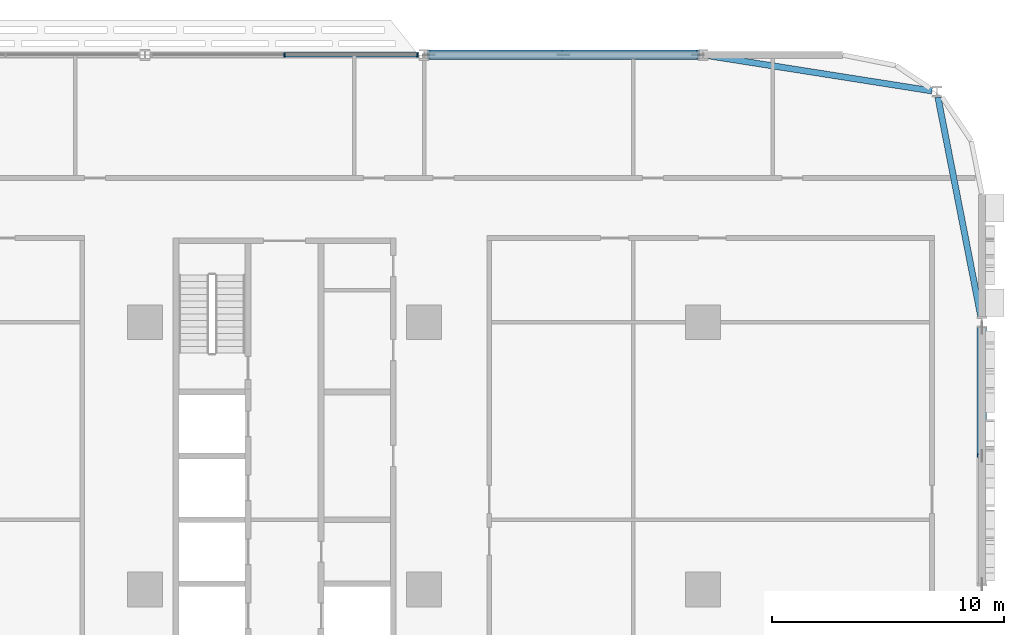
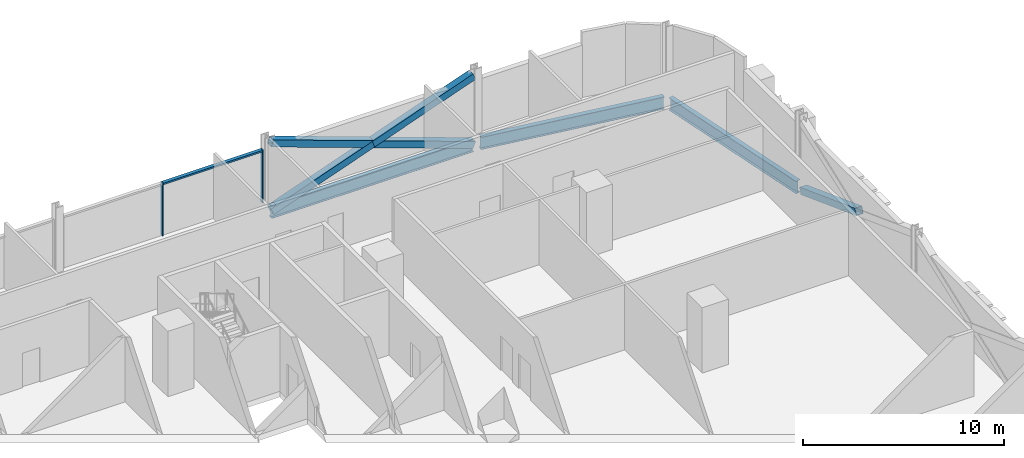
# One storey, part 10 of 30: 7 members, 3 beams, 1 element without a shape of its own.
"""IFC4 building model written with IfcOpenShell, lengths in metres."""

from ifc_helpers import new_model, si_unit, direction, frame, origin, origin_2d, place, context, subcontext, project, spatial, rectangle, hollow_rectangle, i_section, extrude, material, material_profile, profile_set, type_object, element, aggregate, save


model = new_model("IFC4")

# Units and contexts
model_context = context("Model", 3, precision=1e-05, world=origin(), true_north=direction((0.0, 1.0)))
body_context = subcontext(model_context, "Body", "Model", "MODEL_VIEW")
ifc_project = project(units=[si_unit("LENGTHUNIT", "METRE"), si_unit("AREAUNIT", "SQUARE_METRE"), si_unit("VOLUMEUNIT", "CUBIC_METRE"), si_unit("PLANEANGLEUNIT", "RADIAN"), si_unit("MASSUNIT", "GRAM", prefix="KILO")], contexts=[model_context])

# Site, building, storey
site_placement = place(None, origin())
site = spatial("IfcSite", under=ifc_project, at=site_placement, CompositionType="ELEMENT")
building_placement = place(site_placement, origin())
building = spatial("IfcBuilding", under=site, at=building_placement, Name="Mahtab Terrace Research Tower", CompositionType="ELEMENT")
storey_placement = place(building_placement, frame((0.0, 0.0, 50.300048828125)))
storey = spatial("IfcBuildingStorey", under=building, at=storey_placement, Name="L11", CompositionType="ELEMENT", Elevation=50.300048828125)

# Members
ifc_material_1 = material(Name="Steel ASTM A500 Gr C", Category="steel")
ifc_material_profile_1 = material_profile(ifc_material_1, hollow_rectangle(XDim=0.406494140625, YDim=0.406494140625, WallThickness=0.01904296875, at=origin_2d()), Name="HSS16X16X3/4")
ifc_profile_set_1 = profile_set([ifc_material_profile_1], Name="Steel ASTM A500 Gr C")
member_type_1 = type_object("IfcMemberType", Name="HSS 16x16x3/4 brace XB161634", PredefinedType="BRACE", material=ifc_profile_set_1)
member_1_placement = place(storey_placement, frame((41.787841796875, 23.0, -0.642578125), z_axis=(-0.94138021482, 0.0, 0.33734743388), x_axis=(0.0, -1.0, 0.0)))
element("IfcMember", 1, at=member_1_placement, inside=storey, type_object=member_type_1, Name="Exoskeleton brace L11 02 a", PredefinedType="BRACE", context=body_context, shape_type="SweptSolid", body=[
    extrude(hollow_rectangle(XDim=0.406494140625, YDim=0.406494140625, WallThickness=0.01904296875, at=origin_2d()), origin(), (0.0, 0.0, 1.0), 12.29638671875),
])
for number, where, z_axis, x_axis, name in (
    (2, (30.212158203125, 23.0, -0.642578125), (0.941386519928, 0.0, 0.337329838731), (0.0, 1.0, 0.0), "Exoskeleton brace L11 02 b1"),
    (3, (36.0, 23.0, 1.431396484375), (0.941373909467, 0.0, 0.337365028677), (0.0, 1.0, 0.0), "Exoskeleton brace L11 02 b2"),
):
    element("IfcMember", number, at=place(storey_placement, frame(where, z_axis=z_axis, x_axis=x_axis)), inside=storey, type_object=member_type_1, Name=name, PredefinedType="BRACE", context=body_context, shape_type="SweptSolid", body=[
        extrude(hollow_rectangle(XDim=0.406494140625, YDim=0.406494140625, WallThickness=0.01904296875, at=origin_2d()), origin(), (0.0, 0.0, 1.0), 6.148193359375),
    ])
member_2_placement = place(storey_placement, frame((54.0, 11.262451171875, -0.629638671875), z_axis=(0.0, -0.936671402403, 0.350209485765), x_axis=(1.0, 0.0, 0.0)))
element("IfcMember", 4, at=member_2_placement, inside=storey, type_object=member_type_1, Name="Exoskeleton brace L11 23 b1", PredefinedType="BRACE", context=body_context, shape_type="SweptSolid", body=[
    extrude(hollow_rectangle(XDim=0.406494140625, YDim=0.406494140625, WallThickness=0.01904296875, at=origin_2d()), origin(), (0.0, 0.0, 1.0), 5.88525390625),
])

# Curtain wall, members
ifc_material_2 = material(Name="Laboratory ribbon curtain wall")
curtain_wall_type = type_object("IfcCurtainWallType", Name="Laboratory ribbon curtain wall", PredefinedType="NOTDEFINED", material=ifc_material_2)
curtain_wall_placement = place(storey_placement, origin())
curtain_wall = element("IfcCurtainWall", 5, at=curtain_wall_placement, inside=storey, type_object=curtain_wall_type, Name="EN.L11.3.5", PredefinedType="NOTDEFINED")
ifc_material_3 = material(Name="Natural anodised aluminium", Category="aluminium")
ifc_material_profile_2 = material_profile(ifc_material_3, rectangle(XDim=0.199951171875, YDim=0.06494140625, at=origin_2d()), Name="MULLION 65x200")
ifc_profile_set_2 = profile_set([ifc_material_profile_2], Name="Natural anodised aluminium")
member_type_2 = type_object("IfcMemberType", Name="Laboratory ribbon curtain wall mullion", PredefinedType="MULLION", material=ifc_profile_set_2)
member_3_placement = place(storey_placement, frame((29.7294921875, 23.0, 0.0), z_axis=(0.0, 0.0, 1.0), x_axis=(0.0, -1.0, 0.0)))
member_3 = element("IfcMember", 6, at=member_3_placement, type_object=member_type_2, Name="CWL-2 mullion 1", PredefinedType="MULLION", context=body_context, shape_type="SweptSolid", body=[
    extrude(rectangle(XDim=0.199951171875, YDim=0.06494140625, at=origin_2d()), origin(), (0.0, 0.0, 1.0), 3.203125),
])
member_4_placement = place(storey_placement, frame((24.0, 23.0, 0.0), z_axis=(0.0, 0.0, 1.0), x_axis=(0.0, -1.0, 0.0)))
member_4 = element("IfcMember", 7, at=member_4_placement, type_object=member_type_2, Name="CWL-2 mullion 2", PredefinedType="MULLION", context=body_context, shape_type="SweptSolid", body=[
    extrude(rectangle(XDim=0.199951171875, YDim=0.06494140625, at=origin_2d()), origin(), (0.0, 0.0, 1.0), 3.203125),
])
ifc_material_profile_3 = material_profile(ifc_material_3, rectangle(XDim=0.199951171875, YDim=0.10009765625, at=origin_2d()), Name="TRANSOM 100x200")
ifc_profile_set_3 = profile_set([ifc_material_profile_3], Name="Natural anodised aluminium")
member_type_3 = type_object("IfcMemberType", Name="Laboratory ribbon curtain wall transom", PredefinedType="USERDEFINED", material=ifc_profile_set_3)
member_5_placement = place(storey_placement, frame((29.697021484375, 23.0, 3.153076171875), z_axis=(-1.0, 0.0, 0.0), x_axis=(0.0, -1.0, 0.0)))
member_5 = element("IfcMember", 8, at=member_5_placement, type_object=member_type_3, Name="CWL-2 transom 1", ObjectType="TRANSOM", PredefinedType="USERDEFINED", context=body_context, shape_type="SweptSolid", body=[
    extrude(rectangle(XDim=0.199951171875, YDim=0.10009765625, at=origin_2d()), origin(), (0.0, 0.0, 1.0), 5.66455078125),
])
aggregate(curtain_wall, [member_3, member_4, member_5])

# Beams
ifc_material_4 = material(Name="Steel ASTM A992 Gr 50", Category="steel")
ifc_material_profile_4 = material_profile(ifc_material_4, i_section(OverallWidth=0.2666015625, OverallDepth=0.7568359375, WebThickness=0.013916015625, FlangeThickness=0.019287109375, at=origin_2d()), Name="W30X108")
ifc_profile_set_4 = profile_set([ifc_material_profile_4], Name="Steel ASTM A992 Gr 50")
beam_type = type_object("IfcBeamType", Name="W30x108 beam BS30108", PredefinedType="BEAM", material=ifc_profile_set_4)
beam_1_placement = place(storey_placement, frame((51.849853515625, 21.449462890625, -0.718505859375), z_axis=(-0.987836303792, 0.155497385545, 0.0), x_axis=(-0.155497385545, -0.987836303792, 0.0)))
element("IfcBeam", 9, at=beam_1_placement, inside=storey, type_object=beam_type, Name="Spandrel beam L11 01", PredefinedType="BEAM", context=body_context, shape_type="SweptSolid", body=[
    extrude(i_section(OverallWidth=0.2666015625, OverallDepth=0.7568359375, WebThickness=0.013916015625, FlangeThickness=0.019287109375, at=origin_2d()), origin(), (0.0, 0.0, 1.0), 9.75634765625),
])
beam_2_placement = place(storey_placement, frame((41.787841796875, 23.0, -0.718505859375), z_axis=(-1.0, 0.0, 0.0), x_axis=(0.0, -1.0, 0.0)))
element("IfcBeam", 10, at=beam_2_placement, inside=storey, type_object=beam_type, Name="Spandrel beam L11 02", PredefinedType="BEAM", context=body_context, shape_type="SweptSolid", body=[
    extrude(i_section(OverallWidth=0.2666015625, OverallDepth=0.7568359375, WebThickness=0.013916015625, FlangeThickness=0.019287109375, at=origin_2d()), origin(), (0.0, 0.0, 1.0), 11.57568359375),
])
beam_3_placement = place(storey_placement, frame((53.95361328125, 11.737548828125, -0.718505859375), z_axis=(-0.191819239661, 0.981430272254, 0.0), x_axis=(-0.981430272254, -0.191819239661, 0.0)))
element("IfcBeam", 11, at=beam_3_placement, inside=storey, type_object=beam_type, Name="Spandrel beam L11 24", PredefinedType="BEAM", context=body_context, shape_type="SweptSolid", body=[
    extrude(i_section(OverallWidth=0.2666015625, OverallDepth=0.7568359375, WebThickness=0.013916015625, FlangeThickness=0.019287109375, at=origin_2d()), origin(), (0.0, 0.0, 1.0), 9.61962890625),
])

save(model, "model.ifc")
